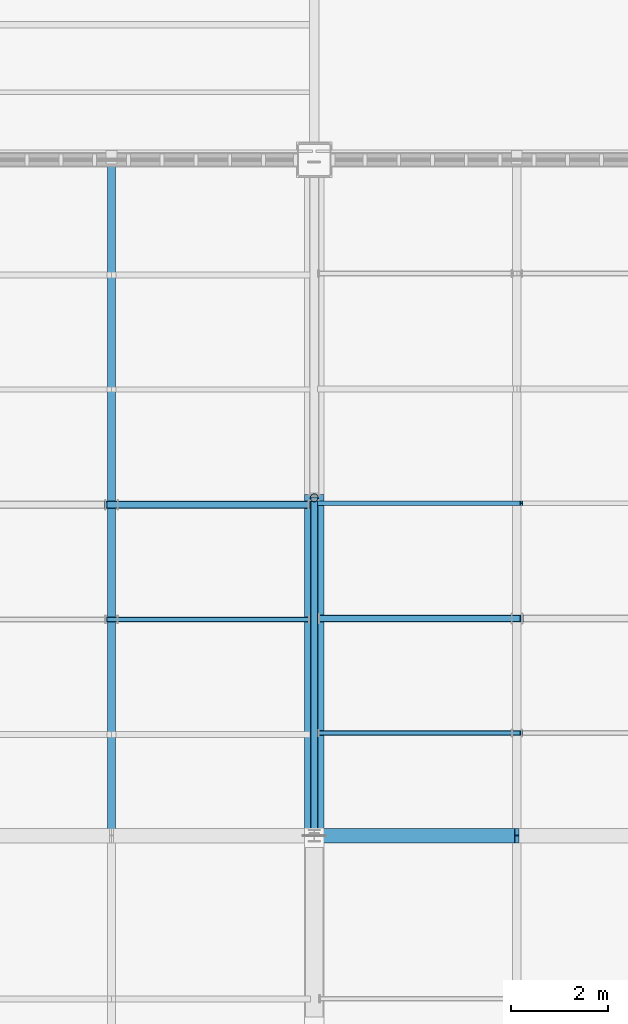
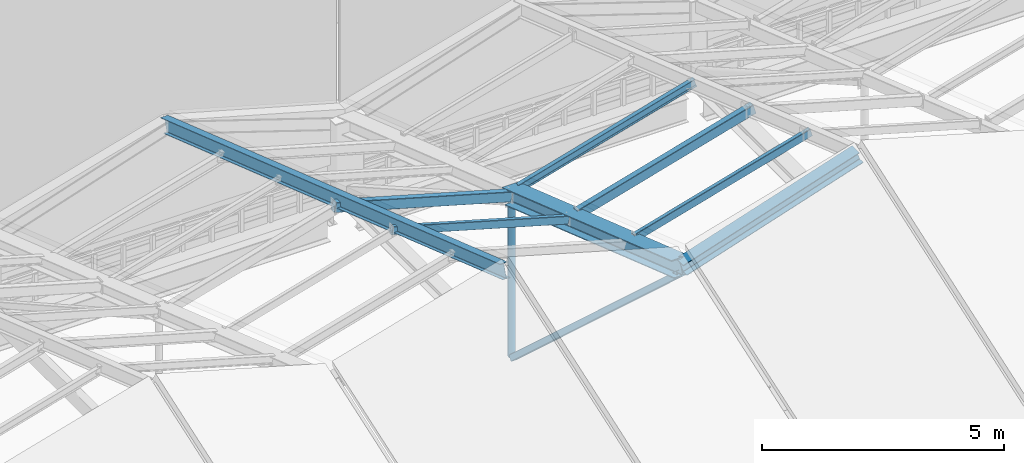
# One storey, part 29 of 77: 10 members.
"""IFC4 building model written with IfcOpenShell, lengths in metres."""

from ifc_helpers import new_model, si_unit, direction, frame, origin, origin_2d, place, context, subcontext, project, spatial, hollow_rectangle, hollow_circle, i_section, extrude, material, material_profile, profile_set, type_object, element, save


model = new_model("IFC4")

# Units and contexts
model_context = context("Model", 3, precision=1e-05, world=origin(), true_north=direction((0.0, 1.0)))
body_context = subcontext(model_context, "Body", "Model", "MODEL_VIEW")
ifc_project = project(units=[si_unit("LENGTHUNIT", "METRE"), si_unit("AREAUNIT", "SQUARE_METRE"), si_unit("VOLUMEUNIT", "CUBIC_METRE"), si_unit("PLANEANGLEUNIT", "RADIAN"), si_unit("MASSUNIT", "GRAM", prefix="KILO")], contexts=[model_context])

# Site, building, storey
site_placement = place(None, origin())
site = spatial("IfcSite", under=ifc_project, at=site_placement, CompositionType="ELEMENT")
building_placement = place(site_placement, origin())
building = spatial("IfcBuilding", under=site, at=building_placement, Name="Larkvane Passage Sports Hall", CompositionType="ELEMENT")
storey_placement = place(building_placement, frame((0.0, 0.0, 22.199951171875)))
storey = spatial("IfcBuildingStorey", under=building, at=storey_placement, Name="RF", CompositionType="ELEMENT", Elevation=22.199951171875)

# Members
ifc_material_1 = material(Name="Steel S355JR", Category="steel")
ifc_material_profile_1 = material_profile(ifc_material_1, hollow_rectangle(XDim=0.14990234375, YDim=0.14990234375, WallThickness=0.008056640625, InnerFilletRadius=0.008056640625, OuterFilletRadius=0.01611328125, at=origin_2d()), Name="SHS-150x150x8")
ifc_profile_set_1 = profile_set([ifc_material_profile_1], Name="Steel S355JR")
member_type_1 = type_object("IfcMemberType", Name="MBR-BR-SHS150", PredefinedType="BRACE", material=ifc_profile_set_1)
member_1_placement = place(storey_placement, frame((76.800048828125, 61.64990234375, 6.489990234375), z_axis=(0.0, 0.738490019384, -0.674264407536), x_axis=(-1.0, 0.0, 0.0)))
element("IfcMember", 1, at=member_1_placement, inside=storey, type_object=member_type_1, Name="Arena roof truss 6 web brace 5", PredefinedType="BRACE", context=body_context, shape_type="SweptSolid", body=[
    extrude(hollow_rectangle(XDim=0.14990234375, YDim=0.14990234375, WallThickness=0.008056640625, InnerFilletRadius=0.008056640625, OuterFilletRadius=0.01611328125, at=origin_2d()), origin(), (0.0, 0.0, 1.0), 9.343505859375),
])
ifc_material_2 = material(Name="Steel S460N", Category="steel")
ifc_material_profile_2 = material_profile(ifc_material_2, i_section(OverallWidth=0.300048828125, OverallDepth=0.300048828125, WebThickness=0.010009765625, FlangeThickness=0.014892578125, FilletRadius=0.012939453125, at=origin_2d()), Name="H-300x300x10x15")
ifc_profile_set_2 = profile_set([ifc_material_profile_2], Name="Steel S460N")
member_type_2 = type_object("IfcMemberType", Name="MBR-CH-H300", PredefinedType="CHORD", material=ifc_profile_set_2)
member_2_placement = place(storey_placement, frame((76.800048828125, 61.60009765625, 6.679931640625), z_axis=(0.950691943721, 0.0, 0.310136789407), x_axis=(0.0, 1.0, 0.0)))
element("IfcMember", 2, at=member_2_placement, inside=storey, type_object=member_type_2, Name="Arena roof fold tie 6-RIDGE-W", PredefinedType="CHORD", context=body_context, shape_type="SweptSolid", body=[
    extrude(i_section(OverallWidth=0.300048828125, OverallDepth=0.300048828125, WebThickness=0.010009765625, FlangeThickness=0.014892578125, FilletRadius=0.012939453125, at=origin_2d()), origin(), (0.0, 0.0, 1.0), 4.417724609375),
])
ifc_material_profile_3 = material_profile(ifc_material_2, i_section(OverallWidth=0.39990234375, OverallDepth=0.39990234375, WebThickness=0.012939453125, FlangeThickness=0.02099609375, FilletRadius=0.02197265625, at=origin_2d()), Name="H-400x400x13x21")
ifc_profile_set_3 = profile_set([ifc_material_profile_3], Name="Steel S460N")
member_type_3 = type_object("IfcMemberType", Name="MBR-CH-H400", PredefinedType="CHORD", material=ifc_profile_set_3)
member_3_placement = place(storey_placement, frame((76.800048828125, 61.60009765625, 6.679931640625), z_axis=(0.0, 0.945949994576, -0.324312515579), x_axis=(-1.0, 0.0, 0.0)))
element("IfcMember", 3, at=member_3_placement, inside=storey, type_object=member_type_3, Name="Arena roof truss 6 top chord 5", PredefinedType="CHORD", context=body_context, shape_type="SweptSolid", body=[
    extrude(i_section(OverallWidth=0.39990234375, OverallDepth=0.39990234375, WebThickness=0.012939453125, FlangeThickness=0.02099609375, FilletRadius=0.02197265625, at=origin_2d()), origin(), (0.0, 0.0, 1.0), 7.39990234375),
])
ifc_material_profile_4 = material_profile(ifc_material_1, i_section(OverallWidth=0.10009765625, OverallDepth=0.199951171875, WebThickness=0.005615234375, FlangeThickness=0.008056640625, FilletRadius=0.008056640625, at=origin_2d()), Name="H-200x100x5.5x8")
ifc_profile_set_4 = profile_set([ifc_material_profile_4], Name="Steel S355JR")
member_type_4 = type_object("IfcMemberType", Name="MBR-PR-H200", PredefinedType="PURLIN", material=ifc_profile_set_4)
member_4_placement = place(storey_placement, frame((76.895263671875, 68.48583984375, 4.466796875), z_axis=(0.96152605678, 0.0, 0.274713745804), x_axis=(0.0, 1.0, 0.0)))
element("IfcMember", 4, at=member_4_placement, inside=storey, type_object=member_type_4, Name="Folded roof purlin FRP-B6-NW-3", PredefinedType="PURLIN", context=body_context, shape_type="SweptSolid", body=[
    extrude(i_section(OverallWidth=0.10009765625, OverallDepth=0.199951171875, WebThickness=0.005615234375, FlangeThickness=0.008056640625, FilletRadius=0.008056640625, at=origin_2d()), origin(), (0.0, 0.0, 1.0), 4.367919921875),
])
ifc_material_profile_5 = material_profile(ifc_material_1, hollow_rectangle(XDim=0.10009765625, YDim=0.199951171875, WallThickness=0.008056640625, InnerFilletRadius=0.008056640625, OuterFilletRadius=0.01611328125, at=origin_2d()), Name="RHS-200x100x8")
ifc_profile_set_5 = profile_set([ifc_material_profile_5], Name="Steel S355JR")
member_type_5 = type_object("IfcMemberType", Name="MBR-PR-RHS200", PredefinedType="PURLIN", material=ifc_profile_set_5)
member_5_placement = place(storey_placement, frame((72.48388671875, 66.08056640625, 6.40966796875), z_axis=(0.96152605678, 0.0, -0.274713745804), x_axis=(0.0, 1.0, 0.0)))
element("IfcMember", 5, at=member_5_placement, inside=storey, type_object=member_type_5, Name="Folded roof purlin FRP-B5-NE-2", PredefinedType="PURLIN", context=body_context, shape_type="SweptSolid", body=[
    extrude(hollow_rectangle(XDim=0.10009765625, YDim=0.199951171875, WallThickness=0.008056640625, InnerFilletRadius=0.008056640625, OuterFilletRadius=0.01611328125, at=origin_2d()), origin(), (0.0, 0.0, 1.0), 4.367919921875),
])
member_6_placement = place(storey_placement, frame((76.895263671875, 63.725830078125, 6.0986328125), z_axis=(0.961511291812, 0.0, 0.274765419436), x_axis=(0.0, 1.0, 0.0)))
element("IfcMember", 6, at=member_6_placement, inside=storey, type_object=member_type_5, Name="Folded roof purlin FRP-B6-NW-1", PredefinedType="PURLIN", context=body_context, shape_type="SweptSolid", body=[
    extrude(hollow_rectangle(XDim=0.10009765625, YDim=0.199951171875, WallThickness=0.008056640625, InnerFilletRadius=0.008056640625, OuterFilletRadius=0.01611328125, at=origin_2d()), origin(), (0.0, 0.0, 1.0), 4.3681640625),
])
ifc_material_profile_6 = material_profile(ifc_material_1, hollow_rectangle(XDim=0.14990234375, YDim=0.25, WallThickness=0.009033203125, InnerFilletRadius=0.009033203125, OuterFilletRadius=0.01806640625, at=origin_2d()), Name="RHS-250x150x9")
ifc_profile_set_6 = profile_set([ifc_material_profile_6], Name="Steel S355JR")
member_type_6 = type_object("IfcMemberType", Name="MBR-PR-RHS250", PredefinedType="PURLIN", material=ifc_profile_set_6)
member_7_placement = place(storey_placement, frame((72.477294921875, 68.452880859375, 5.57080078125), z_axis=(0.961530274547, 0.0, -0.27469898276), x_axis=(0.0, 1.0, 0.0)))
element("IfcMember", 7, at=member_7_placement, inside=storey, type_object=member_type_6, Name="Folded roof purlin FRP-B5-NE-3", PredefinedType="PURLIN", context=body_context, shape_type="SweptSolid", body=[
    extrude(hollow_rectangle(XDim=0.14990234375, YDim=0.25, WallThickness=0.009033203125, InnerFilletRadius=0.009033203125, OuterFilletRadius=0.01806640625, at=origin_2d()), origin(), (0.0, 0.0, 1.0), 4.3681640625),
])
member_8_placement = place(storey_placement, frame((76.90185546875, 66.097900390625, 5.260009765625), z_axis=(0.96152605678, 0.0, 0.274713745804), x_axis=(0.0, 1.0, 0.0)))
element("IfcMember", 8, at=member_8_placement, inside=storey, type_object=member_type_6, Name="Folded roof purlin FRP-B6-NW-2", PredefinedType="PURLIN", context=body_context, shape_type="SweptSolid", body=[
    extrude(hollow_rectangle(XDim=0.14990234375, YDim=0.25, WallThickness=0.009033203125, InnerFilletRadius=0.009033203125, OuterFilletRadius=0.01806640625, at=origin_2d()), origin(), (0.0, 0.0, 1.0), 4.367919921875),
])
ifc_material_profile_7 = material_profile(ifc_material_1, i_section(OverallWidth=0.175048828125, OverallDepth=0.35009765625, WebThickness=0.007080078125, FlangeThickness=0.010986328125, FilletRadius=0.012939453125, at=origin_2d()), Name="H-350x175x7x11")
ifc_profile_set_7 = profile_set([ifc_material_profile_7], Name="Steel S355JR")
member_type_7 = type_object("IfcMemberType", Name="MBR-RF-H350", PredefinedType="RAFTER", material=ifc_profile_set_7)
member_9_placement = place(storey_placement, frame((72.60009765625, 61.60009765625, 8.050048828125), z_axis=(0.0, 0.945944933771, -0.324327276487), x_axis=(-1.0, 0.0, 0.0)))
element("IfcMember", 9, at=member_9_placement, inside=storey, type_object=member_type_7, Name="Arena roof fold peak rafter 5-N", PredefinedType="RAFTER", context=body_context, shape_type="SweptSolid", body=[
    extrude(i_section(OverallWidth=0.175048828125, OverallDepth=0.35009765625, WebThickness=0.007080078125, FlangeThickness=0.010986328125, FilletRadius=0.012939453125, at=origin_2d()), origin(), (0.0, 0.0, 1.0), 14.800048828125),
])
ifc_material_profile_8 = material_profile(ifc_material_1, hollow_circle(Radius=0.08251953125, WallThickness=0.006103515625, at=origin_2d()), Name="CHS-165.2x6.0")
ifc_profile_set_8 = profile_set([ifc_material_profile_8], Name="Steel S355JR")
member_type_8 = type_object("IfcMemberType", Name="MBR-ST-CHS165", PredefinedType="STRUT", material=ifc_profile_set_8)
member_10_placement = place(storey_placement, frame((76.800048828125, 68.60009765625, 0.18994140625), z_axis=(0.0, 0.0, 1.0), x_axis=(1.0, 0.0, 0.0)))
element("IfcMember", 10, at=member_10_placement, inside=storey, type_object=member_type_8, Name="Arena roof truss 6 vertical strut 5", PredefinedType="STRUT", context=body_context, shape_type="SweptSolid", body=[
    extrude(hollow_circle(Radius=0.08251953125, WallThickness=0.006103515625, at=origin_2d()), origin(), (0.0, 0.0, 1.0), 3.900146484375),
])

save(model, "model.ifc")
